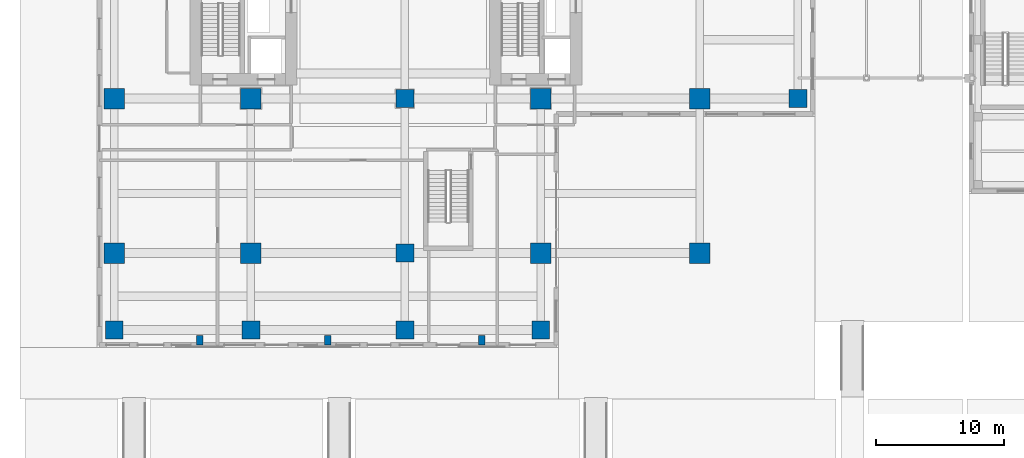
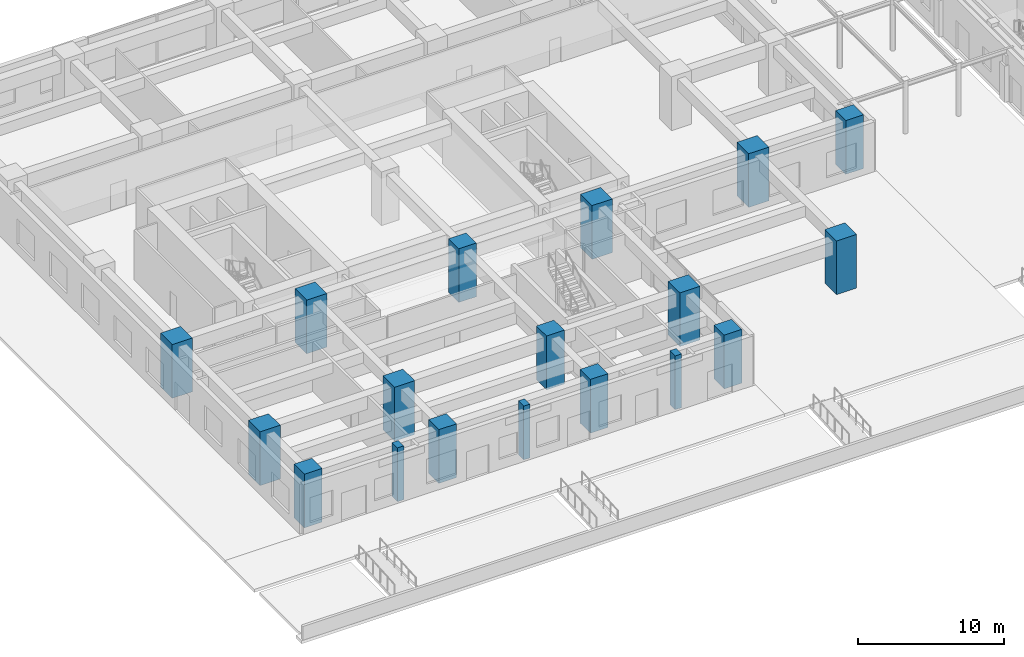
# One storey, part 1 of 39: 18 columns.
"""IFC4 building model written with IfcOpenShell, lengths in metres."""

from ifc_helpers import new_model, si_unit, direction, frame, origin, origin_2d, place, context, subcontext, project, spatial, rectangle, extrude, source, transform, mapped, material, material_profile, profile_set, type_object, element, save


model = new_model("IFC4")

# Units and contexts
model_context = context("Model", 3, precision=1e-05, world=origin(), true_north=direction((0.0, 1.0)))
body_context = subcontext(model_context, "Body", "Model", "MODEL_VIEW")
ifc_project = project(units=[si_unit("LENGTHUNIT", "METRE"), si_unit("AREAUNIT", "SQUARE_METRE"), si_unit("VOLUMEUNIT", "CUBIC_METRE"), si_unit("PLANEANGLEUNIT", "RADIAN"), si_unit("MASSUNIT", "GRAM", prefix="KILO")], contexts=[model_context])

# Site, building, storey
site_placement = place(None, origin())
site = spatial("IfcSite", under=ifc_project, at=site_placement, CompositionType="ELEMENT")
building_placement = place(site_placement, origin())
building = spatial("IfcBuilding", under=site, at=building_placement, Name="Khoralis Quay Care Tower", CompositionType="ELEMENT")
storey_placement = place(building_placement, origin())
storey = spatial("IfcBuildingStorey", under=building, at=storey_placement, Name="L00", CompositionType="ELEMENT", Elevation=0.0)

# Columns
ifc_material_1 = material(Name="Concrete C80/95", Category="concrete")
ifc_material_profile_1 = material_profile(ifc_material_1, rectangle(XDim=1.39990234375, YDim=1.39990234375, at=origin_2d()), Name="Concrete C80/95")
ifc_profile_set_1 = profile_set([ifc_material_profile_1], Name="Concrete C80/95")
column_type_1 = type_object("IfcColumnType", Name="COL-MC1400", PredefinedType="COLUMN", material=ifc_profile_set_1)
shared_shape_1 = source(origin(), body_context, "Body", "SweptSolid", [
    extrude(rectangle(XDim=1.39990234375, YDim=1.39990234375, at=origin_2d()), origin(), (0.0, 0.0, 1.0), 4.5),
])
for number, where, z_axis, x_axis, name in (
    (1, (1.35009765625, -4.64990234375, 0.0), (0.0, 0.0, 1.0), (1.0, 0.0, 0.0), "L00 Mega column COL-POD-L00-01"),
    (2, (12.0, -4.64990234375, 0.0), (0.0, 0.0, 1.0), (1.0, 0.0, 0.0), "L00 Mega column COL-POD-L00-07"),
    (3, (24.0, -4.64990234375, 0.0), (0.0, 0.0, 1.0), (1.0, 0.0, 0.0), "L00 Mega column COL-POD-L00-12"),
    (4, (24.0, 1.35009765625, 0.0), (0.0, 0.0, 1.0), (1.0, 0.0, 0.0), "L00 Mega column COL-POD-L00-13"),
    (5, (24.0, 13.39990234375, 0.0), (0.0, 0.0, 1.0), (1.0, 0.0, 0.0), "L00 Mega column COL-POD-L00-14"),
    (6, (34.60009765625, -4.64990234375, 0.0), (0.0, 0.0, 1.0), (1.0, 0.0, 0.0), "L00 Mega column COL-POD-L00-18"),
    (7, (54.64990234375, 13.39990234375, 0.0), (0.0, 0.0, 1.0), (1.0, 0.0, 0.0), "L00 Mega column COL-POD-L00-28"),
):
    element("IfcColumn", number, at=place(storey_placement, frame(where, z_axis=z_axis, x_axis=x_axis)), inside=storey, type_object=column_type_1, Name=name, PredefinedType="COLUMN", context=body_context, shape_type="MappedRepresentation", body=[
        mapped(shared_shape_1, transform((0.0, 0.0, 0.0), scale=1.0)),
    ])
ifc_material_profile_2 = material_profile(ifc_material_1, rectangle(XDim=1.60009765625, YDim=1.60009765625, at=origin_2d()), Name="Concrete C80/95")
ifc_profile_set_2 = profile_set([ifc_material_profile_2], Name="Concrete C80/95")
column_type_2 = type_object("IfcColumnType", Name="COL-MC1600", PredefinedType="COLUMN", material=ifc_profile_set_2)
shared_shape_2 = source(origin(), body_context, "Body", "SweptSolid", [
    extrude(rectangle(XDim=1.60009765625, YDim=1.60009765625, at=origin_2d()), origin(), (0.0, 0.0, 1.0), 4.5),
])
for number, where, z_axis, x_axis, name in (
    (8, (1.35009765625, 1.35009765625, 0.0), (0.0, 0.0, 1.0), (1.0, 0.0, 0.0), "L00 Mega column COL-POD-L00-02"),
    (9, (1.35009765625, 13.39990234375, 0.0), (0.0, 0.0, 1.0), (1.0, 0.0, 0.0), "L00 Mega column COL-POD-L00-03"),
    (10, (12.0, 1.35009765625, 0.0), (0.0, 0.0, 1.0), (1.0, 0.0, 0.0), "L00 Mega column COL-POD-L00-08"),
    (11, (12.0, 13.39990234375, 0.0), (0.0, 0.0, 1.0), (1.0, 0.0, 0.0), "L00 Mega column COL-POD-L00-09"),
    (12, (34.60009765625, 1.35009765625, 0.0), (0.0, 0.0, 1.0), (1.0, 0.0, 0.0), "L00 Mega column COL-POD-L00-19"),
    (13, (34.60009765625, 13.39990234375, 0.0), (0.0, 0.0, 1.0), (1.0, 0.0, 0.0), "L00 Mega column COL-POD-L00-20"),
    (14, (47.0, 1.35009765625, 0.0), (0.0, 0.0, 1.0), (1.0, 0.0, 0.0), "L00 Mega column COL-POD-L00-23"),
    (15, (47.0, 13.39990234375, 0.0), (0.0, 0.0, 1.0), (1.0, 0.0, 0.0), "L00 Mega column COL-POD-L00-24"),
):
    element("IfcColumn", number, at=place(storey_placement, frame(where, z_axis=z_axis, x_axis=x_axis)), inside=storey, type_object=column_type_2, Name=name, PredefinedType="COLUMN", context=body_context, shape_type="MappedRepresentation", body=[
        mapped(shared_shape_2, transform((0.0, 0.0, 0.0), scale=1.0)),
    ])
ifc_material_2 = material(Name="Concrete C50/60", Category="concrete")
ifc_material_profile_3 = material_profile(ifc_material_2, rectangle(XDim=0.5, YDim=0.75, at=origin_2d()), Name="Concrete C50/60")
ifc_profile_set_3 = profile_set([ifc_material_profile_3], Name="Concrete C50/60")
column_type_3 = type_object("IfcColumnType", Name="COL-PIL500X750", PredefinedType="PILASTER", material=ifc_profile_set_3)
shared_shape_3 = source(origin(), body_context, "Body", "SweptSolid", [
    extrude(rectangle(XDim=0.5, YDim=0.75, at=origin_2d()), origin(), (0.0, 0.0, 1.0), 4.5),
])
for number, where, z_axis, x_axis, name in (
    (16, (8.0, -5.449951171875, 0.0), (0.0, 0.0, 1.0), (1.0, 0.0, 0.0), "L00 Waterfront Colonnade Pilaster 1"),
    (17, (18.0, -5.449951171875, 0.0), (0.0, 0.0, 1.0), (1.0, 0.0, 0.0), "L00 Waterfront Colonnade Pilaster 2"),
    (18, (30.0, -5.449951171875, 0.0), (0.0, 0.0, 1.0), (1.0, 0.0, 0.0), "L00 Waterfront Colonnade Pilaster 3"),
):
    element("IfcColumn", number, at=place(storey_placement, frame(where, z_axis=z_axis, x_axis=x_axis)), inside=storey, type_object=column_type_3, Name=name, PredefinedType="PILASTER", context=body_context, shape_type="MappedRepresentation", body=[
        mapped(shared_shape_3, transform((0.0, 0.0, 0.0), scale=1.0)),
    ])

save(model, "model.ifc")
